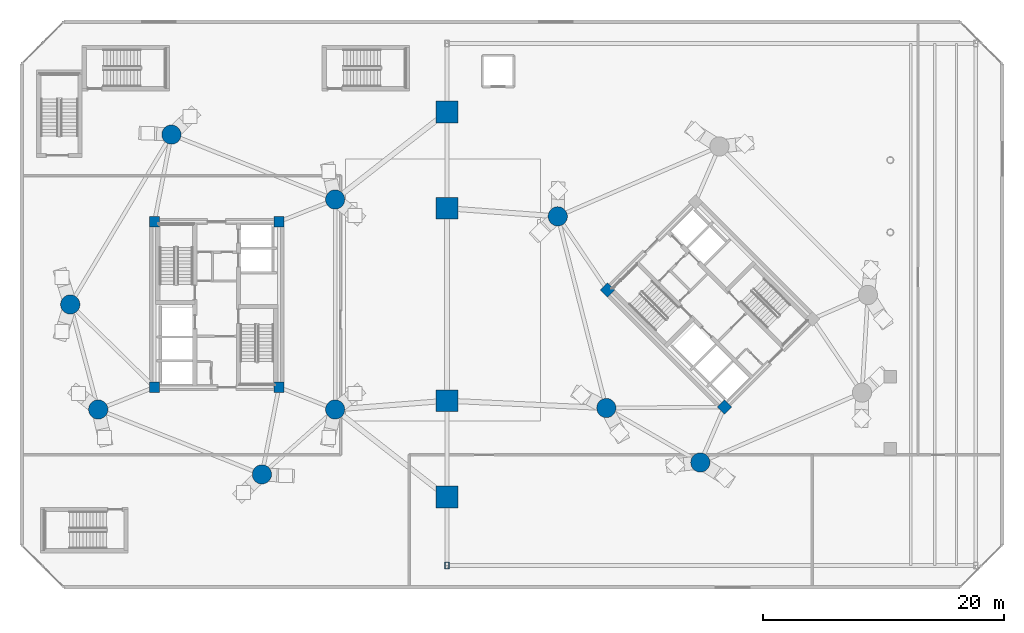
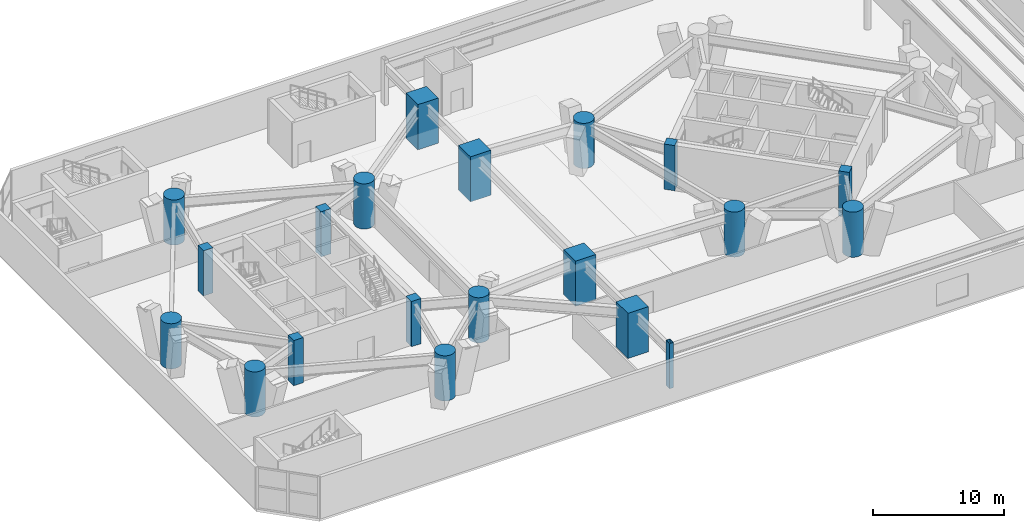
# One storey, part 1 of 20: 20 columns.
"""IFC4 building model written with IfcOpenShell, lengths in metres."""

from ifc_helpers import new_model, si_unit, direction, frame, origin, origin_2d, place, context, subcontext, project, spatial, rectangle, hollow_rectangle, circle, extrude, material, material_profile, profile_set, type_object, element, save


model = new_model("IFC4")

# Units and contexts
model_context = context("Model", 3, precision=1e-05, world=origin(), true_north=direction((0.0, 1.0)))
body_context = subcontext(model_context, "Body", "Model", "MODEL_VIEW")
ifc_project = project(units=[si_unit("LENGTHUNIT", "METRE"), si_unit("AREAUNIT", "SQUARE_METRE"), si_unit("VOLUMEUNIT", "CUBIC_METRE"), si_unit("PLANEANGLEUNIT", "RADIAN"), si_unit("MASSUNIT", "GRAM", prefix="KILO")], contexts=[model_context])

# Site, building, storey
site_placement = place(None, origin())
site = spatial("IfcSite", under=ifc_project, at=site_placement, CompositionType="ELEMENT")
building_placement = place(site_placement, origin())
building = spatial("IfcBuilding", under=site, at=building_placement, Name="Cununo Teusaquillo Station Towers", CompositionType="ELEMENT")
storey_placement = place(building_placement, frame((0.0, 0.0, 4.800048828125)))
storey = spatial("IfcBuildingStorey", under=building, at=storey_placement, Name="L01", CompositionType="ELEMENT", Elevation=4.800048828125)

# Columns
ifc_material_1 = material(Name="Concrete C50/60", Category="concrete")
ifc_material_profile_1 = material_profile(ifc_material_1, rectangle(XDim=0.85009765625, YDim=0.85009765625, at=origin_2d()), Name="RC-RECT-850x850")
ifc_profile_set_1 = profile_set([ifc_material_profile_1], Name="Concrete C50/60")
column_type_1 = type_object("IfcColumnType", Name="COL-CORE-Z1", PredefinedType="COLUMN", material=ifc_profile_set_1)
for number, where, z_axis, x_axis, name in (
    (1, (11.324951171875, 17.6201171875, 0.0), (0.0, 0.0, 1.0), (1.0, 0.0, 0.0), "L01 Tower A Core Column 1"),
    (2, (11.324951171875, 31.3798828125, 0.0), (0.0, 0.0, 1.0), (1.0, 0.0, 0.0), "L01 Tower A Core Column 2"),
    (3, (21.675048828125, 17.6201171875, 0.0), (0.0, 0.0, 1.0), (1.0, 0.0, 0.0), "L01 Tower A Core Column 3"),
    (4, (21.675048828125, 31.3798828125, 0.0), (0.0, 0.0, 1.0), (1.0, 0.0, 0.0), "L01 Tower A Core Column 4"),
    (5, (58.70556640625, 15.975830078125, 0.0), (0.0, 0.0, 1.0), (0.707106781187, 0.707106781187, 0.0), "L01 Tower B Core Column 1"),
    (6, (48.975830078125, 25.70556640625, 0.0), (0.0, 0.0, 1.0), (0.707106781187, 0.707106781187, 0.0), "L01 Tower B Core Column 2"),
):
    element("IfcColumn", number, at=place(storey_placement, frame(where, z_axis=z_axis, x_axis=x_axis)), inside=storey, type_object=column_type_1, Name=name, PredefinedType="COLUMN", context=body_context, shape_type="SweptSolid", body=[
        extrude(rectangle(XDim=0.85009765625, YDim=0.85009765625, at=origin_2d()), origin(), (0.0, 0.0, 1.0), 4.199951171875),
    ])
ifc_material_2 = material(Name="Concrete C60/75", Category="concrete")
ifc_material_profile_2 = material_profile(ifc_material_2, circle(Radius=0.800048828125, at=origin_2d()), Name="RC-CIRC-1600")
ifc_profile_set_2 = profile_set([ifc_material_profile_2], Name="Concrete C60/75")
column_type_2 = type_object("IfcColumnType", Name="COL-MEGA-POD", PredefinedType="USERDEFINED", material=ifc_profile_set_2)
for number, where, z_axis, x_axis, name in (
    (7, (26.347412109375, 33.228515625, 0.0), (0.0, 0.0, 1.0), (1.0, 0.0, 0.0), "L01 Tower A Perimeter Column V02"),
    (8, (12.738525390625, 38.623291015625, 0.0), (0.0, 0.0, 1.0), (1.0, 0.0, 0.0), "L01 Tower A Perimeter Column V06"),
    (9, (4.327880859375, 24.5, 0.0), (0.0, 0.0, 1.0), (1.0, 0.0, 0.0), "L01 Tower A Perimeter Column V10"),
    (10, (6.652587890625, 15.771484375, 0.0), (0.0, 0.0, 1.0), (1.0, 0.0, 0.0), "L01 Tower A Perimeter Column V12"),
    (11, (20.261474609375, 10.376708984375, 0.0), (0.0, 0.0, 1.0), (1.0, 0.0, 0.0), "L01 Tower A Perimeter Column V16"),
    (12, (26.347412109375, 15.771484375, 0.0), (0.0, 0.0, 1.0), (1.0, 0.0, 0.0), "L01 Tower A Perimeter Column V18"),
    (13, (44.853759765625, 31.826904296875, 0.0), (0.0, 0.0, 1.0), (1.0, 0.0, 0.0), "L01 Tower B Perimeter Column V06"),
    (14, (48.89306640625, 15.89306640625, 0.0), (0.0, 0.0, 1.0), (1.0, 0.0, 0.0), "L01 Tower B Perimeter Column V10"),
    (15, (56.708984375, 11.36474609375, 0.0), (0.0, 0.0, 1.0), (1.0, 0.0, 0.0), "L01 Tower B Perimeter Column V12"),
):
    element("IfcColumn", number, at=place(storey_placement, frame(where, z_axis=z_axis, x_axis=x_axis)), inside=storey, type_object=column_type_2, Name=name, ObjectType="MEGA COLUMN", PredefinedType="USERDEFINED", context=body_context, shape_type="SweptSolid", body=[
        extrude(circle(Radius=0.800048828125, at=origin_2d()), origin(), (0.0, 0.0, 1.0), 4.199951171875),
    ])
ifc_material_3 = material(Name="Steel ASTM A572 Grade 50", Category="steel")
ifc_material_profile_3 = material_profile(ifc_material_3, hollow_rectangle(XDim=0.35009765625, YDim=0.550048828125, WallThickness=0.02197265625, at=origin_2d()), Name="RHS 550x350x22")
ifc_profile_set_3 = profile_set([ifc_material_profile_3], Name="Steel ASTM A572 Grade 50")
column_type_3 = type_object("IfcColumnType", Name="COL-PILASTER", PredefinedType="PILASTER", material=ifc_profile_set_3)
column_placement = place(storey_placement, frame((35.64990234375, 2.800048828125, 0.0), z_axis=(0.0, 0.0, 1.0), x_axis=(1.0, 0.0, 0.0)))
element("IfcColumn", 16, at=column_placement, inside=storey, type_object=column_type_3, Name="L01 Station Hall Pilaster PIL-SW", PredefinedType="PILASTER", context=body_context, shape_type="SweptSolid", body=[
    extrude(hollow_rectangle(XDim=0.35009765625, YDim=0.550048828125, WallThickness=0.02197265625, at=origin_2d()), origin(), (0.0, 0.0, 1.0), 4.199951171875),
])
ifc_material_4 = material(Name="Concrete C60/75", Category="concrete")
ifc_material_profile_4 = material_profile(ifc_material_4, rectangle(XDim=1.800048828125, YDim=1.800048828125, at=origin_2d()), Name="RC-RECT-1800x1800")
ifc_profile_set_4 = profile_set([ifc_material_profile_4], Name="Concrete C60/75")
column_type_4 = type_object("IfcColumnType", Name="COL-POD-MEGA", PredefinedType="USERDEFINED", material=ifc_profile_set_4)
for number, where, z_axis, x_axis, name in (
    (17, (35.64990234375, 8.5, 0.0), (0.0, 0.0, 1.0), (1.0, 0.0, 0.0), "L01 Station Mega-Column PMC-S"),
    (18, (35.64990234375, 16.5, 0.0), (0.0, 0.0, 1.0), (1.0, 0.0, 0.0), "L01 Station Mega-Column PMC-M1"),
    (19, (35.64990234375, 32.5, 0.0), (0.0, 0.0, 1.0), (1.0, 0.0, 0.0), "L01 Station Mega-Column PMC-M2"),
    (20, (35.64990234375, 40.5, 0.0), (0.0, 0.0, 1.0), (1.0, 0.0, 0.0), "L01 Station Mega-Column PMC-N"),
):
    element("IfcColumn", number, at=place(storey_placement, frame(where, z_axis=z_axis, x_axis=x_axis)), inside=storey, type_object=column_type_4, Name=name, ObjectType="MEGA COLUMN", PredefinedType="USERDEFINED", context=body_context, shape_type="SweptSolid", body=[
        extrude(rectangle(XDim=1.800048828125, YDim=1.800048828125, at=origin_2d()), origin(), (0.0, 0.0, 1.0), 4.199951171875),
    ])

save(model, "model.ifc")
